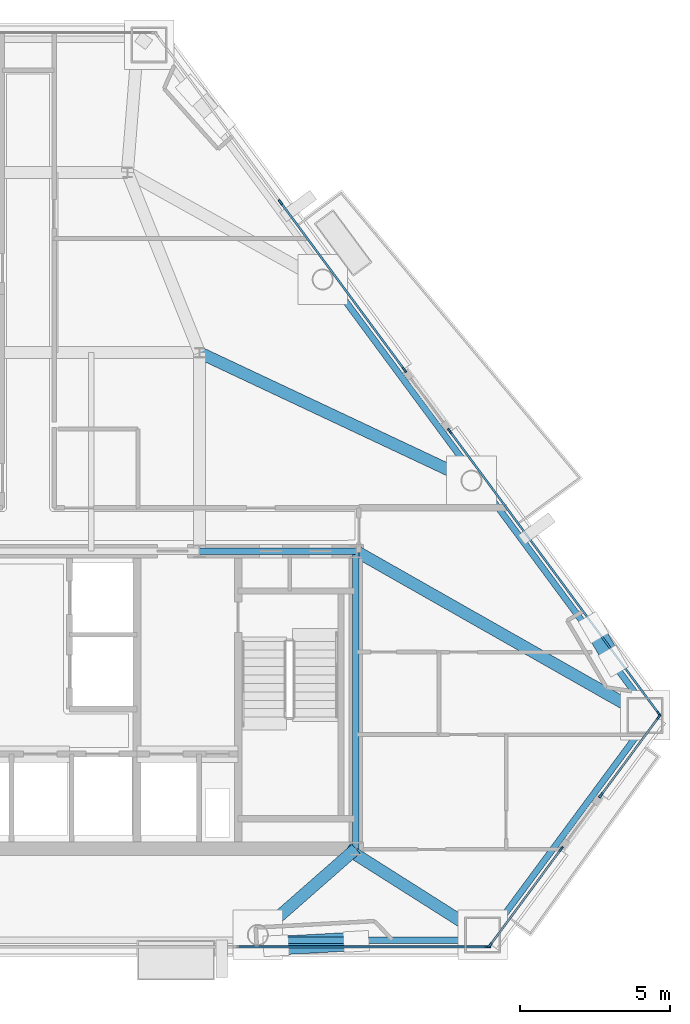
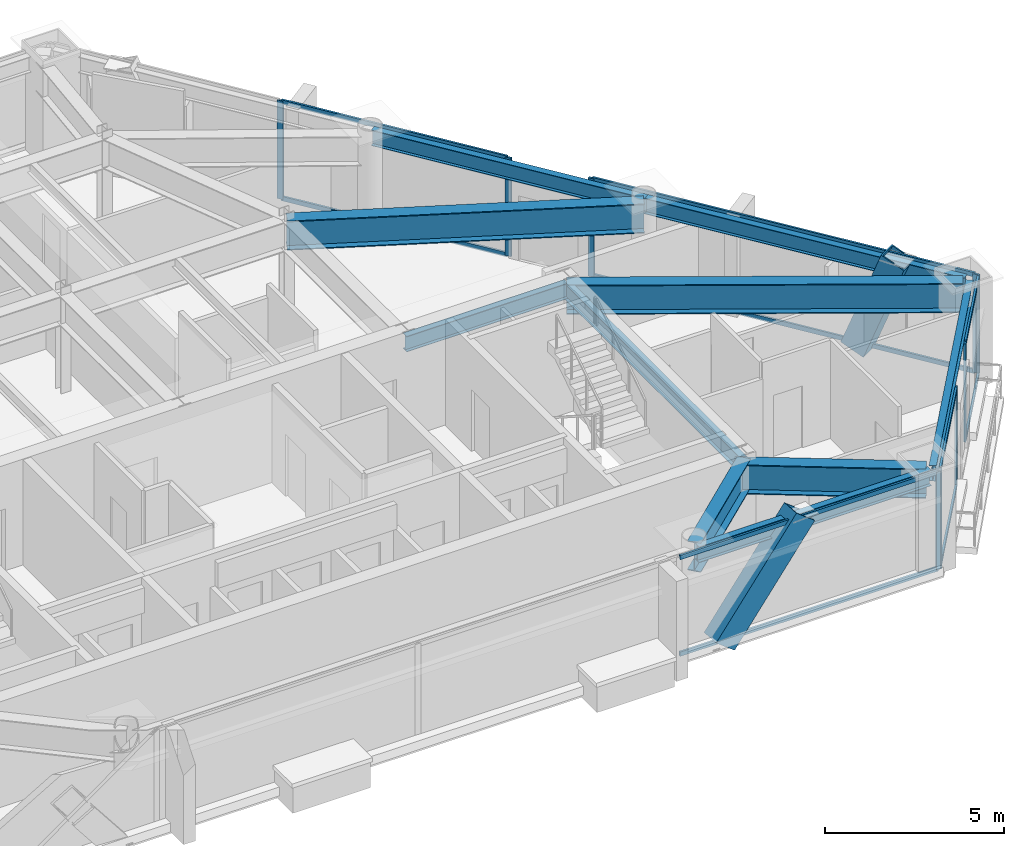
# One storey, part 5 of 11: 21 members, 10 beams, 5 elements without a shape of their own.
"""IFC4 building model written with IfcOpenShell, lengths in metres."""

from ifc_helpers import new_model, si_unit, direction, frame, origin, origin_2d, place, context, subcontext, project, spatial, rectangle, hollow_rectangle, i_section, extrude, material, layer, layer_set, material_profile, profile_set, type_object, element, aggregate, save


model = new_model("IFC4")

# Units and contexts
model_context = context("Model", 3, precision=1e-05, world=origin(), true_north=direction((0.0, 1.0)))
body_context = subcontext(model_context, "Body", "Model", "MODEL_VIEW")
ifc_project = project(units=[si_unit("LENGTHUNIT", "METRE"), si_unit("AREAUNIT", "SQUARE_METRE"), si_unit("VOLUMEUNIT", "CUBIC_METRE"), si_unit("PLANEANGLEUNIT", "RADIAN"), si_unit("MASSUNIT", "GRAM", prefix="KILO")], contexts=[model_context])

# Site, building, storey
site_placement = place(None, origin())
site = spatial("IfcSite", under=ifc_project, at=site_placement, CompositionType="ELEMENT")
building_placement = place(site_placement, origin())
building = spatial("IfcBuilding", under=site, at=building_placement, Name="Talgorran Terracotta Tower", CompositionType="ELEMENT")
storey_placement = place(building_placement, frame((0.0, 0.0, 125.699951171875)))
storey = spatial("IfcBuildingStorey", under=building, at=storey_placement, Name="L32", CompositionType="ELEMENT", Elevation=125.699951171875)

# Beams
ifc_material_1 = material(Name="Steel Grade 350 (350L0)", Category="steel")
ifc_material_profile_1 = material_profile(ifc_material_1, i_section(OverallWidth=0.39990234375, OverallDepth=1.0, WebThickness=0.01611328125, FlangeThickness=0.031005859375, at=origin_2d()), Name="1000WB296")
ifc_profile_set_1 = profile_set([ifc_material_profile_1], Name="Steel Grade 350 (350L0)")
beam_type_1 = type_object("IfcBeamType", Name="BM_1000WB296", PredefinedType="BEAM", material=ifc_profile_set_1)
beam_1_placement = place(storey_placement, frame((12.39990234375, -14.10009765625, 2.85009765625), z_axis=(-0.751320451725, -0.659937556758, 0.0), x_axis=(0.659937556758, -0.751320451725, 0.0)))
element("IfcBeam", 1, at=beam_1_placement, inside=storey, type_object=beam_type_1, Name="L32 South-East Core Tie Beam", PredefinedType="BEAM", context=body_context, shape_type="SweptSolid", body=[
    extrude(i_section(OverallWidth=0.39990234375, OverallDepth=1.0, WebThickness=0.01611328125, FlangeThickness=0.031005859375, at=origin_2d()), origin(), (0.0, 0.0, 1.0), 4.338623046875),
])
beam_2_placement = place(storey_placement, frame((16.618408203125, -16.96337890625, 2.85009765625), z_axis=(-0.844676693729, 0.535276828446, 0.0), x_axis=(-0.535276828446, -0.844676693729, 0.0)))
element("IfcBeam", 2, at=beam_2_placement, inside=storey, type_object=beam_type_1, Name="L32 Perimeter Step Girder 5", PredefinedType="BEAM", context=body_context, shape_type="SweptSolid", body=[
    extrude(i_section(OverallWidth=0.39990234375, OverallDepth=1.0, WebThickness=0.01611328125, FlangeThickness=0.031005859375, at=origin_2d()), origin(), (0.0, 0.0, 1.0), 5.34912109375),
])
beam_3_placement = place(storey_placement, frame((7.199951171875, 2.39990234375, 2.85009765625), z_axis=(0.904850249914, -0.425729990992, 0.0), x_axis=(0.425729990992, 0.904850249914, 0.0)))
element("IfcBeam", 3, at=beam_3_placement, inside=storey, type_object=beam_type_1, Name="L32 Floor Girder G07", PredefinedType="BEAM", context=body_context, shape_type="SweptSolid", body=[
    extrude(i_section(OverallWidth=0.39990234375, OverallDepth=1.0, WebThickness=0.01611328125, FlangeThickness=0.031005859375, at=origin_2d()), origin(), (0.0, 0.0, 1.0), 9.99609375),
])
beam_4_placement = place(storey_placement, frame((12.39990234375, -4.199951171875, 2.85009765625), z_axis=(0.869581927132, -0.493788691654, 0.0), x_axis=(0.493788691654, 0.869581927132, 0.0)))
element("IfcBeam", 4, at=beam_4_placement, inside=storey, type_object=beam_type_1, Name="L32 Floor Girder G18", PredefinedType="BEAM", context=body_context, shape_type="SweptSolid", body=[
    extrude(i_section(OverallWidth=0.39990234375, OverallDepth=1.0, WebThickness=0.01611328125, FlangeThickness=0.031005859375, at=origin_2d()), origin(), (0.0, 0.0, 1.0), 11.061279296875),
])
ifc_material_2 = material(Name="Steel S355 (300PLUS)", Category="steel")
ifc_material_profile_2 = material_profile(ifc_material_2, i_section(OverallWidth=0.209228515625, OverallDepth=0.532958984375, WebThickness=0.01025390625, FlangeThickness=0.015625, at=origin_2d()), Name="530UB92.4")
ifc_profile_set_2 = profile_set([ifc_material_profile_2], Name="Steel S355 (300PLUS)")
beam_type_2 = type_object("IfcBeamType", Name="BM_SP_530UB92", PredefinedType="SPANDREL", material=ifc_profile_set_2)
beam_5_placement = place(storey_placement, frame((9.14013671875, -17.143310546875, 3.08349609375), z_axis=(1.0, 0.0, 0.0), x_axis=(0.0, 1.0, 0.0)))
element("IfcBeam", 5, at=beam_5_placement, inside=storey, type_object=beam_type_2, Name="L32 Perimeter Spandrel Beam FC2-MC3", PredefinedType="SPANDREL", context=body_context, shape_type="SweptSolid", body=[
    extrude(i_section(OverallWidth=0.209228515625, OverallDepth=0.532958984375, WebThickness=0.01025390625, FlangeThickness=0.015625, at=origin_2d()), origin(), (0.0, 0.0, 1.0), 7.478271484375),
])
beam_6_placement = place(storey_placement, frame((16.762939453125, -17.0703125, 3.08349609375), z_axis=(0.594631406603, 0.803998439228, 0.0), x_axis=(-0.803998439228, 0.594631406603, 0.0)))
element("IfcBeam", 6, at=beam_6_placement, inside=storey, type_object=beam_type_2, Name="L32 Perimeter Spandrel Beam MC3-MC4", PredefinedType="SPANDREL", context=body_context, shape_type="SweptSolid", body=[
    extrude(i_section(OverallWidth=0.209228515625, OverallDepth=0.532958984375, WebThickness=0.01025390625, FlangeThickness=0.015625, at=origin_2d()), origin(), (0.0, 0.0, 1.0), 9.08154296875),
])
beam_7_placement = place(storey_placement, frame((22.1630859375, -9.554931640625, 3.08349609375), z_axis=(-0.594623640759, 0.804004182732, 0.0), x_axis=(-0.804004182732, -0.594623640759, 0.0)))
element("IfcBeam", 7, at=beam_7_placement, inside=storey, type_object=beam_type_2, Name="L32 Perimeter Spandrel Beam MC4-FC3", PredefinedType="SPANDREL", context=body_context, shape_type="SweptSolid", body=[
    extrude(i_section(OverallWidth=0.209228515625, OverallDepth=0.532958984375, WebThickness=0.01025390625, FlangeThickness=0.015625, at=origin_2d()), origin(), (0.0, 0.0, 1.0), 9.70947265625),
])
beam_8_placement = place(storey_placement, frame((16.3896484375, -1.74853515625, 3.08349609375), z_axis=(-0.594631062308, 0.803998693866, 0.0), x_axis=(-0.803998693866, -0.594631062308, 0.0)))
element("IfcBeam", 8, at=beam_8_placement, inside=storey, type_object=beam_type_2, Name="L32 Perimeter Spandrel Beam FC3-FC4", PredefinedType="SPANDREL", context=body_context, shape_type="SweptSolid", body=[
    extrude(i_section(OverallWidth=0.209228515625, OverallDepth=0.532958984375, WebThickness=0.01025390625, FlangeThickness=0.015625, at=origin_2d()), origin(), (0.0, 0.0, 1.0), 8.322265625),
])
beam_9_placement = place(storey_placement, frame((12.39990234375, -14.10009765625, 3.08349609375), z_axis=(0.0, 1.0, 0.0), x_axis=(-1.0, 0.0, 0.0)))
element("IfcBeam", 9, at=beam_9_placement, inside=storey, type_object=beam_type_2, Name="L32 Core Frame Beam CFE", PredefinedType="SPANDREL", context=body_context, shape_type="SweptSolid", body=[
    extrude(i_section(OverallWidth=0.209228515625, OverallDepth=0.532958984375, WebThickness=0.01025390625, FlangeThickness=0.015625, at=origin_2d()), origin(), (0.0, 0.0, 1.0), 9.900146484375),
])
beam_10_placement = place(storey_placement, frame((7.199951171875, -4.199951171875, 3.08349609375), z_axis=(1.0, 0.0, 0.0), x_axis=(0.0, 1.0, 0.0)))
element("IfcBeam", 10, at=beam_10_placement, inside=storey, type_object=beam_type_2, Name="L32 Core Frame Beam CFN4", PredefinedType="SPANDREL", context=body_context, shape_type="SweptSolid", body=[
    extrude(i_section(OverallWidth=0.209228515625, OverallDepth=0.532958984375, WebThickness=0.01025390625, FlangeThickness=0.015625, at=origin_2d()), origin(), (0.0, 0.0, 1.0), 5.199951171875),
])

# Members
ifc_material_profile_3 = material_profile(ifc_material_1, hollow_rectangle(XDim=0.6201171875, YDim=0.780029296875, WallThickness=0.0419921875, at=origin_2d()), Name="WBOX780X620X42")
ifc_profile_set_3 = profile_set([ifc_material_profile_3], Name="Steel Grade 350 (350L0)")
member_type_1 = type_object("IfcMemberType", Name="MB_MEGA_780", PredefinedType="BRACE", material=ifc_profile_set_3)
member_1_placement = place(storey_placement, frame((9.743896484375, -17.3232421875, -0.02490234375), z_axis=(0.616958688075, 0.033368956223, 0.786287790805), x_axis=(-0.05400727194, 0.99854054228, 0.0)))
element("IfcMember", 11, at=member_1_placement, inside=storey, type_object=member_type_1, Name="L32 Exterior Face Mega-Brace MB-2 (SEF)", PredefinedType="BRACE", context=body_context, shape_type="SweptSolid", body=[
    extrude(hollow_rectangle(XDim=0.6201171875, YDim=0.780029296875, WallThickness=0.0419921875, at=origin_2d()), origin(), (0.0, 0.0, 1.0), 4.323974609375),
])
member_2_placement = place(storey_placement, frame((20.303955078125, -6.73828125, -0.02490234375), z_axis=(0.180639087791, -0.307884668756, 0.934118060369), x_axis=(0.862508502611, 0.506042570268, 0.0)))
element("IfcMember", 12, at=member_2_placement, inside=storey, type_object=member_type_1, Name="L32 Exterior Face Mega-Brace MB-2 (NEL)", PredefinedType="BRACE", context=body_context, shape_type="SweptSolid", body=[
    extrude(hollow_rectangle(XDim=0.6201171875, YDim=0.780029296875, WallThickness=0.0419921875, at=origin_2d()), origin(), (0.0, 0.0, 1.0), 3.6396484375),
])

# Curtain wall, member
ifc_material_3 = material(Name="Unitised Low-E Double Glazing", Category="glass")
ifc_layer = layer(ifc_material_3, 0.199951171875, Name="CW_SYS2_RES_LOW")
ifc_layer_set = layer_set([ifc_layer], Name="Unitised Low-E Double Glazing")
curtain_wall_type = type_object("IfcCurtainWallType", Name="CW_SYS2_RES_LOW", PredefinedType="NOTDEFINED", material=ifc_layer_set)
curtain_wall_1_placement = place(storey_placement, origin())
curtain_wall_1 = element("IfcCurtainWall", 13, at=curtain_wall_1_placement, inside=storey, type_object=curtain_wall_type, Name="CW-L32-F1", PredefinedType="NOTDEFINED")
ifc_material_4 = material(Name="Architectural Aluminium 6063-T6", Category="aluminium")
ifc_material_profile_4 = material_profile(ifc_material_4, rectangle(XDim=0.06494140625, YDim=0.18505859375, at=origin_2d()), Name="CWM65X185")
ifc_profile_set_4 = profile_set([ifc_material_profile_4], Name="Architectural Aluminium 6063-T6")
member_type_2 = type_object("IfcMemberType", Name="MUL_65X185", PredefinedType="MULLION", material=ifc_profile_set_4)
member_3_placement = place(storey_placement, frame((16.78759765625, -17.36328125, 0.0), z_axis=(0.0, 0.0, 1.0), x_axis=(0.0, 1.0, 0.0)))
member_3 = element("IfcMember", 14, at=member_3_placement, type_object=member_type_2, Name="CW-L32-1 mullion 5", PredefinedType="MULLION", context=body_context, shape_type="SweptSolid", body=[
    extrude(rectangle(XDim=0.06494140625, YDim=0.18505859375, at=origin_2d()), origin(), (0.0, 0.0, 1.0), 3.35009765625),
])

# Curtain wall, members
curtain_wall_2_placement = place(storey_placement, origin())
curtain_wall_2 = element("IfcCurtainWall", 15, at=curtain_wall_2_placement, inside=storey, type_object=curtain_wall_type, Name="CW-L32-F30", PredefinedType="NOTDEFINED")
member_4_placement = place(storey_placement, frame((16.863037109375, -17.304931640625, 0.0), z_axis=(0.0, 0.0, 1.0), x_axis=(-0.803988864897, 0.594644351795, 0.0)))
member_4 = element("IfcMember", 16, at=member_4_placement, type_object=member_type_2, Name="CW-L32-30 mullion 1", PredefinedType="MULLION", context=body_context, shape_type="SweptSolid", body=[
    extrude(rectangle(XDim=0.06494140625, YDim=0.18505859375, at=origin_2d()), origin(), (0.0, 0.0, 1.0), 3.35009765625),
])
member_5_placement = place(storey_placement, frame((19.22705078125, -14.10888671875, 0.0), z_axis=(0.0, 0.0, 1.0), x_axis=(-0.803988864897, 0.594644351795, 0.0)))
member_5 = element("IfcMember", 17, at=member_5_placement, type_object=member_type_2, Name="CW-L32-30 mullion 2", PredefinedType="MULLION", context=body_context, shape_type="SweptSolid", body=[
    extrude(rectangle(XDim=0.06494140625, YDim=0.18505859375, at=origin_2d()), origin(), (0.0, 0.0, 1.0), 3.35009765625),
])

curtain_wall_3_placement = place(storey_placement, origin())
curtain_wall_3 = element("IfcCurtainWall", 18, at=curtain_wall_3_placement, inside=storey, type_object=curtain_wall_type, Name="CW-L32-F31", PredefinedType="NOTDEFINED")
member_6_placement = place(storey_placement, frame((20.550048828125, -12.320068359375, 0.0), z_axis=(0.0, 0.0, 1.0), x_axis=(-0.803983936648, 0.594651014976, 0.0)))
member_6 = element("IfcMember", 19, at=member_6_placement, type_object=member_type_2, Name="CW-L32-31 mullion 1", PredefinedType="MULLION", context=body_context, shape_type="SweptSolid", body=[
    extrude(rectangle(XDim=0.06494140625, YDim=0.18505859375, at=origin_2d()), origin(), (0.0, 0.0, 1.0), 3.35009765625),
])
member_7_placement = place(storey_placement, frame((22.472900390625, -9.72021484375, 0.0), z_axis=(0.0, 0.0, 1.0), x_axis=(-0.803983936648, 0.594651014976, 0.0)))
member_7 = element("IfcMember", 20, at=member_7_placement, type_object=member_type_2, Name="CW-L32-31 mullion 2", PredefinedType="MULLION", context=body_context, shape_type="SweptSolid", body=[
    extrude(rectangle(XDim=0.06494140625, YDim=0.18505859375, at=origin_2d()), origin(), (0.0, 0.0, 1.0), 3.35009765625),
])

curtain_wall_4_placement = place(storey_placement, origin())
curtain_wall_4 = element("IfcCurtainWall", 21, at=curtain_wall_4_placement, inside=storey, type_object=curtain_wall_type, Name="CW-L32-F40", PredefinedType="NOTDEFINED")
member_8_placement = place(storey_placement, frame((22.472900390625, -9.603515625, 0.0), z_axis=(0.0, 0.0, 1.0), x_axis=(-0.803992145134, -0.594639916724, 0.0)))
member_8 = element("IfcMember", 22, at=member_8_placement, type_object=member_type_2, Name="CW-L32-40 mullion 1", PredefinedType="MULLION", context=body_context, shape_type="SweptSolid", body=[
    extrude(rectangle(XDim=0.06494140625, YDim=0.18505859375, at=origin_2d()), origin(), (0.0, 0.0, 1.0), 3.35009765625),
])
member_9_placement = place(storey_placement, frame((15.518310546875, -0.200439453125, 0.0), z_axis=(0.0, 0.0, 1.0), x_axis=(-0.803992145134, -0.594639916724, 0.0)))
member_9 = element("IfcMember", 23, at=member_9_placement, type_object=member_type_2, Name="CW-L32-40 mullion 2", PredefinedType="MULLION", context=body_context, shape_type="SweptSolid", body=[
    extrude(rectangle(XDim=0.06494140625, YDim=0.18505859375, at=origin_2d()), origin(), (0.0, 0.0, 1.0), 3.35009765625),
])

curtain_wall_5_placement = place(storey_placement, origin())
curtain_wall_5 = element("IfcCurtainWall", 24, at=curtain_wall_5_placement, inside=storey, type_object=curtain_wall_type, Name="CW-L32-F41", PredefinedType="NOTDEFINED")
member_10_placement = place(storey_placement, frame((14.016845703125, 1.82958984375, 0.0), z_axis=(0.0, 0.0, 1.0), x_axis=(-0.803995837015, -0.594634925027, 0.0)))
member_10 = element("IfcMember", 25, at=member_10_placement, type_object=member_type_2, Name="CW-L32-41 mullion 1", PredefinedType="MULLION", context=body_context, shape_type="SweptSolid", body=[
    extrude(rectangle(XDim=0.06494140625, YDim=0.18505859375, at=origin_2d()), origin(), (0.0, 0.0, 1.0), 3.35009765625),
])
member_11_placement = place(storey_placement, frame((9.89208984375, 7.406494140625, 0.0), z_axis=(0.0, 0.0, 1.0), x_axis=(-0.803995837015, -0.594634925027, 0.0)))
member_11 = element("IfcMember", 26, at=member_11_placement, type_object=member_type_2, Name="CW-L32-41 mullion 2", PredefinedType="MULLION", context=body_context, shape_type="SweptSolid", body=[
    extrude(rectangle(XDim=0.06494140625, YDim=0.18505859375, at=origin_2d()), origin(), (0.0, 0.0, 1.0), 3.35009765625),
])

# Member
ifc_material_profile_5 = material_profile(ifc_material_4, rectangle(XDim=0.06494140625, YDim=0.14990234375, at=origin_2d()), Name="CWT65X150")
ifc_profile_set_5 = profile_set([ifc_material_profile_5], Name="Architectural Aluminium 6063-T6")
member_type_3 = type_object("IfcMemberType", Name="TRN_65X150", PredefinedType="USERDEFINED", material=ifc_profile_set_5)
member_12_placement = place(storey_placement, frame((8.4423828125, -17.36328125, 0.032470703125), z_axis=(1.0, 0.0, 0.0), x_axis=(0.0, 1.0, 0.0)))
member_12 = element("IfcMember", 27, at=member_12_placement, type_object=member_type_3, Name="CW-L32-1 transom 4.1", ObjectType="TRANSOM", PredefinedType="USERDEFINED", context=body_context, shape_type="SweptSolid", body=[
    extrude(rectangle(XDim=0.06494140625, YDim=0.14990234375, at=origin_2d()), origin(), (0.0, 0.0, 1.0), 8.3125),
])

member_13_placement = place(storey_placement, frame((8.4423828125, -17.36328125, 3.317626953125), z_axis=(1.0, 0.0, 0.0), x_axis=(0.0, 1.0, 0.0)))
member_13 = element("IfcMember", 28, at=member_13_placement, type_object=member_type_3, Name="CW-L32-1 transom 4.2", ObjectType="TRANSOM", PredefinedType="USERDEFINED", context=body_context, shape_type="SweptSolid", body=[
    extrude(rectangle(XDim=0.06494140625, YDim=0.14990234375, at=origin_2d()), origin(), (0.0, 0.0, 1.0), 8.3125),
])

aggregate(curtain_wall_1, [member_3, member_12, member_13])

member_14_placement = place(storey_placement, frame((16.882568359375, -17.27880859375, 0.032470703125), z_axis=(0.594642074371, 0.803990549315, 0.0), x_axis=(-0.803990549315, 0.594642074371, 0.0)))
member_14 = element("IfcMember", 29, at=member_14_placement, type_object=member_type_3, Name="CW-L32-30 transom 1.1", ObjectType="TRANSOM", PredefinedType="USERDEFINED", context=body_context, shape_type="SweptSolid", body=[
    extrude(rectangle(XDim=0.06494140625, YDim=0.14990234375, at=origin_2d()), origin(), (0.0, 0.0, 1.0), 3.91015625),
])

member_15_placement = place(storey_placement, frame((16.882568359375, -17.27880859375, 3.317626953125), z_axis=(0.594642074371, 0.803990549315, 0.0), x_axis=(-0.803990549315, 0.594642074371, 0.0)))
member_15 = element("IfcMember", 30, at=member_15_placement, type_object=member_type_3, Name="CW-L32-30 transom 1.2", ObjectType="TRANSOM", PredefinedType="USERDEFINED", context=body_context, shape_type="SweptSolid", body=[
    extrude(rectangle(XDim=0.06494140625, YDim=0.14990234375, at=origin_2d()), origin(), (0.0, 0.0, 1.0), 3.91015625),
])

aggregate(curtain_wall_2, [member_4, member_5, member_14, member_15])

member_16_placement = place(storey_placement, frame((20.5693359375, -12.2939453125, 0.032470703125), z_axis=(0.594648827202, 0.803985554788, 0.0), x_axis=(-0.803985554788, 0.594648827202, 0.0)))
member_16 = element("IfcMember", 31, at=member_16_placement, type_object=member_type_3, Name="CW-L32-31 transom 1.1", ObjectType="TRANSOM", PredefinedType="USERDEFINED", context=body_context, shape_type="SweptSolid", body=[
    extrude(rectangle(XDim=0.06494140625, YDim=0.14990234375, at=origin_2d()), origin(), (0.0, 0.0, 1.0), 3.168701171875),
])

member_17_placement = place(storey_placement, frame((20.5693359375, -12.2939453125, 3.317626953125), z_axis=(0.594648827202, 0.803985554788, 0.0), x_axis=(-0.803985554788, 0.594648827202, 0.0)))
member_17 = element("IfcMember", 32, at=member_17_placement, type_object=member_type_3, Name="CW-L32-31 transom 1.2", ObjectType="TRANSOM", PredefinedType="USERDEFINED", context=body_context, shape_type="SweptSolid", body=[
    extrude(rectangle(XDim=0.06494140625, YDim=0.14990234375, at=origin_2d()), origin(), (0.0, 0.0, 1.0), 3.168701171875),
])

aggregate(curtain_wall_3, [member_6, member_7, member_16, member_17])

member_18_placement = place(storey_placement, frame((22.45361328125, -9.577392578125, 0.032470703125), z_axis=(-0.594643056443, 0.803989822961, 0.0), x_axis=(-0.803989822961, -0.594643056443, 0.0)))
member_18 = element("IfcMember", 33, at=member_18_placement, type_object=member_type_3, Name="CW-L32-40 transom 1.1", ObjectType="TRANSOM", PredefinedType="USERDEFINED", context=body_context, shape_type="SweptSolid", body=[
    extrude(rectangle(XDim=0.06494140625, YDim=0.14990234375, at=origin_2d()), origin(), (0.0, 0.0, 1.0), 11.630615234375),
])

member_19_placement = place(storey_placement, frame((22.45361328125, -9.577392578125, 3.317626953125), z_axis=(-0.594643056443, 0.803989822961, 0.0), x_axis=(-0.803989822961, -0.594643056443, 0.0)))
member_19 = element("IfcMember", 34, at=member_19_placement, type_object=member_type_3, Name="CW-L32-40 transom 1.2", ObjectType="TRANSOM", PredefinedType="USERDEFINED", context=body_context, shape_type="SweptSolid", body=[
    extrude(rectangle(XDim=0.06494140625, YDim=0.14990234375, at=origin_2d()), origin(), (0.0, 0.0, 1.0), 11.630615234375),
])

aggregate(curtain_wall_4, [member_8, member_9, member_18, member_19])

member_20_placement = place(storey_placement, frame((13.99755859375, 1.855712890625, 0.032470703125), z_axis=(-0.594648767779, 0.803985598738, 0.0), x_axis=(-0.803985598738, -0.594648767779, 0.0)))
member_20 = element("IfcMember", 35, at=member_20_placement, type_object=member_type_3, Name="CW-L32-41 transom 1.1", ObjectType="TRANSOM", PredefinedType="USERDEFINED", context=body_context, shape_type="SweptSolid", body=[
    extrude(rectangle(XDim=0.06494140625, YDim=0.14990234375, at=origin_2d()), origin(), (0.0, 0.0, 1.0), 6.87158203125),
])

member_21_placement = place(storey_placement, frame((13.99755859375, 1.855712890625, 3.317626953125), z_axis=(-0.594648767779, 0.803985598738, 0.0), x_axis=(-0.803985598738, -0.594648767779, 0.0)))
member_21 = element("IfcMember", 36, at=member_21_placement, type_object=member_type_3, Name="CW-L32-41 transom 1.2", ObjectType="TRANSOM", PredefinedType="USERDEFINED", context=body_context, shape_type="SweptSolid", body=[
    extrude(rectangle(XDim=0.06494140625, YDim=0.14990234375, at=origin_2d()), origin(), (0.0, 0.0, 1.0), 6.87158203125),
])

aggregate(curtain_wall_5, [member_10, member_11, member_20, member_21])

save(model, "model.ifc")
